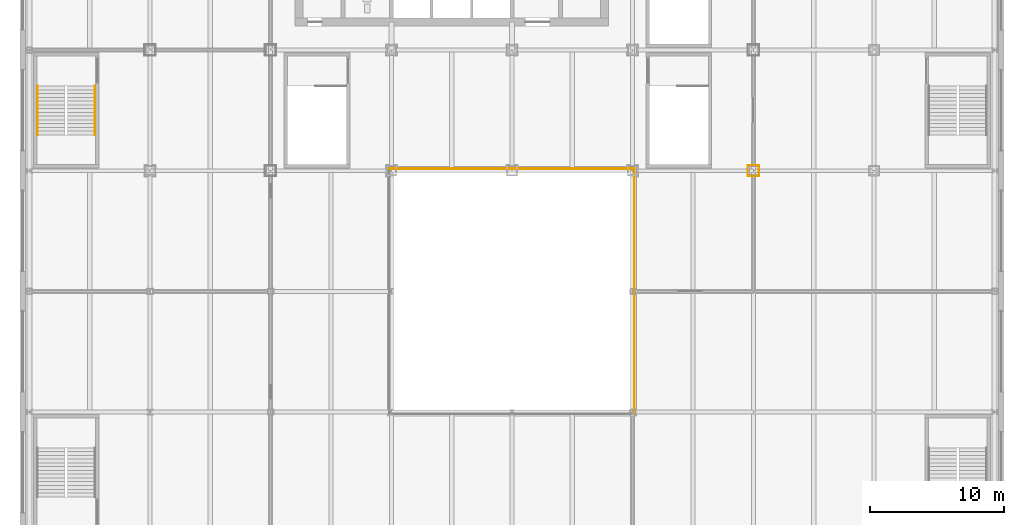
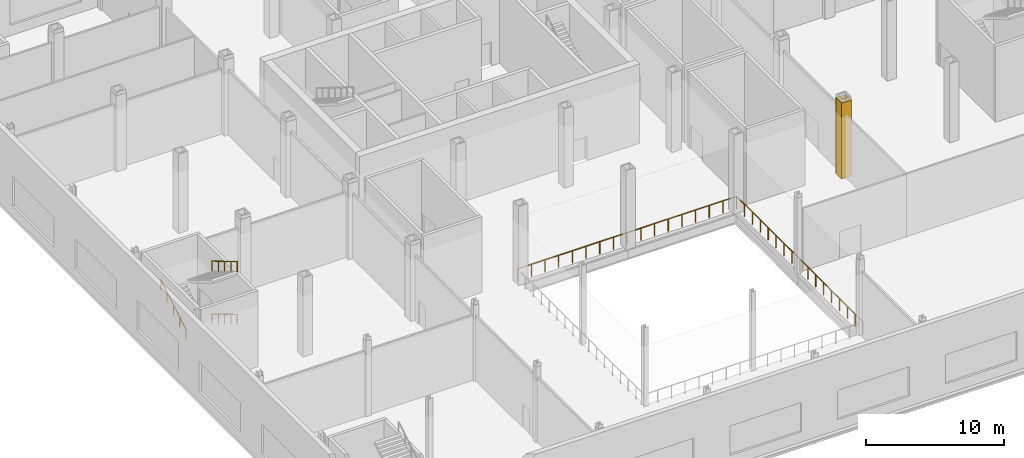
# One storey, part 23 of 32: 5 railings, 4 coverings.
"""IFC4 building model written with IfcOpenShell, lengths in metres."""

from ifc_helpers import new_model, si_unit, direction, frame, origin, origin_2d, place, context, subcontext, project, spatial, rectangle, circle, extrude, material, layer, layer_set, type_object, element, save


model = new_model("IFC4")

# Units and contexts
model_context = context("Model", 3, precision=1e-05, world=origin(), true_north=direction((0.0, 1.0)))
body_context = subcontext(model_context, "Body", "Model", "MODEL_VIEW")
ifc_project = project(units=[si_unit("LENGTHUNIT", "METRE"), si_unit("AREAUNIT", "SQUARE_METRE"), si_unit("VOLUMEUNIT", "CUBIC_METRE"), si_unit("PLANEANGLEUNIT", "RADIAN"), si_unit("MASSUNIT", "GRAM", prefix="KILO")], contexts=[model_context])

# Site, building, storey
site_placement = place(None, origin())
site = spatial("IfcSite", under=ifc_project, at=site_placement, CompositionType="ELEMENT")
building_placement = place(site_placement, origin())
building = spatial("IfcBuilding", under=site, at=building_placement, Name="Loomwork Tower", CompositionType="ELEMENT")
storey_placement = place(building_placement, frame((0.0, 0.0, 16.0)))
storey = spatial("IfcBuildingStorey", under=building, at=storey_placement, Name="L03", CompositionType="ELEMENT", Elevation=16.0)

# Coverings
ifc_material_1 = material(Name="Two-hour fire-rated gypsum board casing")
ifc_layer = layer(ifc_material_1, 0.02490234375)
ifc_layer_set = layer_set([ifc_layer], Name="Column fire casing 25")
covering_type = type_object("IfcCoveringType", Name="Column fire casing 25", PredefinedType="CLADDING", material=ifc_layer_set)
for number, where, z_axis, x_axis, name in (
    (1, (45.0, 0.41259765625, 0.0), (0.0, 0.0, 1.0), (1.0, 0.0, 0.0), "Column casing 45 0 L03"),
    (2, (45.0, -0.41259765625, 0.0), (0.0, 0.0, 1.0), (1.0, 0.0, 0.0), "Column casing 45 0 L03"),
):
    element("IfcCovering", number, at=place(storey_placement, frame(where, z_axis=z_axis, x_axis=x_axis)), inside=storey, type_object=covering_type, Name=name, PredefinedType="CLADDING", context=body_context, shape_type="SweptSolid", body=[
        extrude(rectangle(XDim=0.85009765625, YDim=0.02490234375, at=origin_2d()), origin(), (0.0, 0.0, 1.0), 6.699951171875),
    ])
for number, where, z_axis, x_axis, name in (
    (3, (45.41259765625, 0.0, 0.0), (0.0, 0.0, 1.0), (1.0, 0.0, 0.0), "Column casing 45 0 L03"),
    (4, (44.58740234375, 0.0, 0.0), (0.0, 0.0, 1.0), (1.0, 0.0, 0.0), "Column casing 45 0 L03"),
):
    element("IfcCovering", number, at=place(storey_placement, frame(where, z_axis=z_axis, x_axis=x_axis)), inside=storey, type_object=covering_type, Name=name, PredefinedType="CLADDING", context=body_context, shape_type="SweptSolid", body=[
        extrude(rectangle(XDim=0.02490234375, YDim=0.800048828125, at=origin_2d()), origin(), (0.0, 0.0, 1.0), 6.699951171875),
    ])

# Railings
ifc_material_2 = material(Name="Stainless steel and laminated glass guard", Category="steel")
railing_type_1 = type_object("IfcRailingType", Name="Guard 1100", PredefinedType="GUARDRAIL", material=ifc_material_2)
railing_1_placement = place(storey_placement, frame((36.14990234375, -18.14990234375, 0.0)))
element("IfcRailing", 5, at=railing_1_placement, inside=storey, type_object=railing_type_1, Name="Atrium guard E L03", PredefinedType="GUARDRAIL", context=body_context, shape_type="SweptSolid", body=[
    extrude(circle(Radius=0.02392578125, at=origin_2d()), frame((0.0, 0.0, 1.076171875), z_axis=(0.0, 1.0, 0.0), x_axis=(-1.0, 0.0, 0.0)), (0.0, 0.0, 1.0), 18.2998046875),
    extrude(circle(Radius=0.02099609375, at=origin_2d()), origin(), (0.0, 0.0, 1.0), 1.052001953125),
    extrude(circle(Radius=0.02099609375, at=origin_2d()), frame((0.0, 1.143798828125, 0.0)), (0.0, 0.0, 1.0), 1.052001953125),
    extrude(circle(Radius=0.02099609375, at=origin_2d()), frame((0.0, 2.28759765625, 0.0)), (0.0, 0.0, 1.0), 1.052001953125),
    extrude(circle(Radius=0.02099609375, at=origin_2d()), frame((0.0, 3.43115234375, 0.0)), (0.0, 0.0, 1.0), 1.052001953125),
    extrude(circle(Radius=0.02099609375, at=origin_2d()), frame((0.0, 4.574951171875, 0.0)), (0.0, 0.0, 1.0), 1.052001953125),
    extrude(circle(Radius=0.02099609375, at=origin_2d()), frame((0.0, 5.71875, 0.0)), (0.0, 0.0, 1.0), 1.052001953125),
    extrude(circle(Radius=0.02099609375, at=origin_2d()), frame((0.0, 6.8623046875, 0.0)), (0.0, 0.0, 1.0), 1.052001953125),
    extrude(circle(Radius=0.02099609375, at=origin_2d()), frame((0.0, 8.006103515625, 0.0)), (0.0, 0.0, 1.0), 1.052001953125),
    extrude(circle(Radius=0.02099609375, at=origin_2d()), frame((0.0, 9.14990234375, 0.0)), (0.0, 0.0, 1.0), 1.052001953125),
    extrude(circle(Radius=0.02099609375, at=origin_2d()), frame((0.0, 10.293701171875, 0.0)), (0.0, 0.0, 1.0), 1.052001953125),
    extrude(circle(Radius=0.02099609375, at=origin_2d()), frame((0.0, 11.4375, 0.0)), (0.0, 0.0, 1.0), 1.052001953125),
    extrude(circle(Radius=0.02099609375, at=origin_2d()), frame((0.0, 12.5810546875, 0.0)), (0.0, 0.0, 1.0), 1.052001953125),
    extrude(circle(Radius=0.02099609375, at=origin_2d()), frame((0.0, 13.724853515625, 0.0)), (0.0, 0.0, 1.0), 1.052001953125),
    extrude(circle(Radius=0.02099609375, at=origin_2d()), frame((0.0, 14.86865234375, 0.0)), (0.0, 0.0, 1.0), 1.052001953125),
    extrude(circle(Radius=0.02099609375, at=origin_2d()), frame((0.0, 16.01220703125, 0.0)), (0.0, 0.0, 1.0), 1.052001953125),
    extrude(circle(Radius=0.02099609375, at=origin_2d()), frame((0.0, 17.156005859375, 0.0)), (0.0, 0.0, 1.0), 1.052001953125),
    extrude(circle(Radius=0.02099609375, at=origin_2d()), frame((0.0, 18.2998046875, 0.0)), (0.0, 0.0, 1.0), 1.052001953125),
])
railing_2_placement = place(storey_placement, frame((36.14990234375, 0.14990234375, 0.0)))
element("IfcRailing", 6, at=railing_2_placement, inside=storey, type_object=railing_type_1, Name="Atrium guard N L03", PredefinedType="GUARDRAIL", context=body_context, shape_type="SweptSolid", body=[
    extrude(circle(Radius=0.02392578125, at=origin_2d()), frame((0.0, 0.0, 1.076171875), z_axis=(-1.0, 0.0, 0.0), x_axis=(0.0, -1.0, 0.0)), (0.0, 0.0, 1.0), 18.2998046875),
    extrude(circle(Radius=0.02099609375, at=origin_2d()), origin(), (0.0, 0.0, 1.0), 1.052001953125),
    extrude(circle(Radius=0.02099609375, at=origin_2d()), frame((-1.143798828125, 0.0, 0.0)), (0.0, 0.0, 1.0), 1.052001953125),
    extrude(circle(Radius=0.02099609375, at=origin_2d()), frame((-2.28759765625, 0.0, 0.0)), (0.0, 0.0, 1.0), 1.052001953125),
    extrude(circle(Radius=0.02099609375, at=origin_2d()), frame((-3.43115234375, 0.0, 0.0)), (0.0, 0.0, 1.0), 1.052001953125),
    extrude(circle(Radius=0.02099609375, at=origin_2d()), frame((-4.574951171875, 0.0, 0.0)), (0.0, 0.0, 1.0), 1.052001953125),
    extrude(circle(Radius=0.02099609375, at=origin_2d()), frame((-5.71875, 0.0, 0.0)), (0.0, 0.0, 1.0), 1.052001953125),
    extrude(circle(Radius=0.02099609375, at=origin_2d()), frame((-6.8623046875, 0.0, 0.0)), (0.0, 0.0, 1.0), 1.052001953125),
    extrude(circle(Radius=0.02099609375, at=origin_2d()), frame((-8.006103515625, 0.0, 0.0)), (0.0, 0.0, 1.0), 1.052001953125),
    extrude(circle(Radius=0.02099609375, at=origin_2d()), frame((-9.14990234375, 0.0, 0.0)), (0.0, 0.0, 1.0), 1.052001953125),
    extrude(circle(Radius=0.02099609375, at=origin_2d()), frame((-10.293701171875, 0.0, 0.0)), (0.0, 0.0, 1.0), 1.052001953125),
    extrude(circle(Radius=0.02099609375, at=origin_2d()), frame((-11.4375, 0.0, 0.0)), (0.0, 0.0, 1.0), 1.052001953125),
    extrude(circle(Radius=0.02099609375, at=origin_2d()), frame((-12.5810546875, 0.0, 0.0)), (0.0, 0.0, 1.0), 1.052001953125),
    extrude(circle(Radius=0.02099609375, at=origin_2d()), frame((-13.724853515625, 0.0, 0.0)), (0.0, 0.0, 1.0), 1.052001953125),
    extrude(circle(Radius=0.02099609375, at=origin_2d()), frame((-14.86865234375, 0.0, 0.0)), (0.0, 0.0, 1.0), 1.052001953125),
    extrude(circle(Radius=0.02099609375, at=origin_2d()), frame((-16.01220703125, 0.0, 0.0)), (0.0, 0.0, 1.0), 1.052001953125),
    extrude(circle(Radius=0.02099609375, at=origin_2d()), frame((-17.156005859375, 0.0, 0.0)), (0.0, 0.0, 1.0), 1.052001953125),
    extrude(circle(Radius=0.02099609375, at=origin_2d()), frame((-18.2998046875, 0.0, 0.0)), (0.0, 0.0, 1.0), 1.052001953125),
])
ifc_material_3 = material(Name="Stainless steel handrail", Category="steel")
railing_type_2 = type_object("IfcRailingType", Name="Handrail 900", PredefinedType="HANDRAIL", material=ifc_material_3)
railing_3_placement = place(storey_placement, frame((-4.110107421875, 6.320068359375, 0.166748046875)))
element("IfcRailing", 7, at=railing_3_placement, inside=storey, type_object=railing_type_2, Name="Podium stair PS5 handrail flight 1 L03", PredefinedType="HANDRAIL", context=body_context, shape_type="SweptSolid", body=[
    extrude(circle(Radius=0.02392578125, at=origin_2d()), frame((0.0, 0.0, 0.8759765625), z_axis=(0.0, -0.859318214192, 0.511441303336), x_axis=(1.0, 0.0, 0.0)), (0.0, 0.0, 1.0), 4.236083984375),
    extrude(circle(Radius=0.02099609375, at=origin_2d()), origin(), (0.0, 0.0, 1.0), 0.851806640625),
    extrude(circle(Radius=0.02099609375, at=origin_2d()), frame((0.0, -0.91015625, 0.54150390625)), (0.0, 0.0, 1.0), 0.851806640625),
    extrude(circle(Radius=0.02099609375, at=origin_2d()), frame((0.0, -1.820068359375, 1.083251953125)), (0.0, 0.0, 1.0), 0.851806640625),
    extrude(circle(Radius=0.02099609375, at=origin_2d()), frame((0.0, -2.72998046875, 1.625)), (0.0, 0.0, 1.0), 0.851806640625),
    extrude(circle(Radius=0.02099609375, at=origin_2d()), frame((0.0, -3.64013671875, 2.16650390625)), (0.0, 0.0, 1.0), 0.851806640625),
])
railing_4_placement = place(storey_placement, frame((-8.389892578125, 2.679931640625, 2.5)))
element("IfcRailing", 8, at=railing_4_placement, inside=storey, type_object=railing_type_2, Name="Podium stair PS5 handrail flight 2 L03", PredefinedType="HANDRAIL", context=body_context, shape_type="SweptSolid", body=[
    extrude(circle(Radius=0.02392578125, at=origin_2d()), frame((0.0, 0.0, 0.8759765625), z_axis=(0.0, 0.859318214192, 0.511441303336), x_axis=(-1.0, 0.0, 0.0)), (0.0, 0.0, 1.0), 4.236083984375),
    extrude(circle(Radius=0.02099609375, at=origin_2d()), origin(), (0.0, 0.0, 1.0), 0.851806640625),
    extrude(circle(Radius=0.02099609375, at=origin_2d()), frame((0.0, 0.91015625, 0.54150390625)), (0.0, 0.0, 1.0), 0.851806640625),
    extrude(circle(Radius=0.02099609375, at=origin_2d()), frame((0.0, 1.820068359375, 1.083251953125)), (0.0, 0.0, 1.0), 0.851806640625),
    extrude(circle(Radius=0.02099609375, at=origin_2d()), frame((0.0, 2.72998046875, 1.625)), (0.0, 0.0, 1.0), 0.851806640625),
    extrude(circle(Radius=0.02099609375, at=origin_2d()), frame((0.0, 3.64013671875, 2.16650390625)), (0.0, 0.0, 1.0), 0.851806640625),
])
railing_5_placement = place(storey_placement, frame((-4.110107421875, 6.320068359375, 4.83349609375)))
element("IfcRailing", 9, at=railing_5_placement, inside=storey, type_object=railing_type_2, Name="Podium stair PS5 handrail flight 3 L03", PredefinedType="HANDRAIL", context=body_context, shape_type="SweptSolid", body=[
    extrude(circle(Radius=0.02392578125, at=origin_2d()), frame((0.0, 0.0, 0.8759765625), z_axis=(0.0, -0.859318214192, 0.511441303336), x_axis=(1.0, 0.0, 0.0)), (0.0, 0.0, 1.0), 4.236083984375),
    extrude(circle(Radius=0.02099609375, at=origin_2d()), origin(), (0.0, 0.0, 1.0), 0.851806640625),
    extrude(circle(Radius=0.02099609375, at=origin_2d()), frame((0.0, -0.91015625, 0.54150390625)), (0.0, 0.0, 1.0), 0.851806640625),
    extrude(circle(Radius=0.02099609375, at=origin_2d()), frame((0.0, -1.820068359375, 1.083251953125)), (0.0, 0.0, 1.0), 0.851806640625),
    extrude(circle(Radius=0.02099609375, at=origin_2d()), frame((0.0, -2.72998046875, 1.625)), (0.0, 0.0, 1.0), 0.851806640625),
    extrude(circle(Radius=0.02099609375, at=origin_2d()), frame((0.0, -3.64013671875, 2.16650390625)), (0.0, 0.0, 1.0), 0.851806640625),
])

save(model, "model.ifc")
